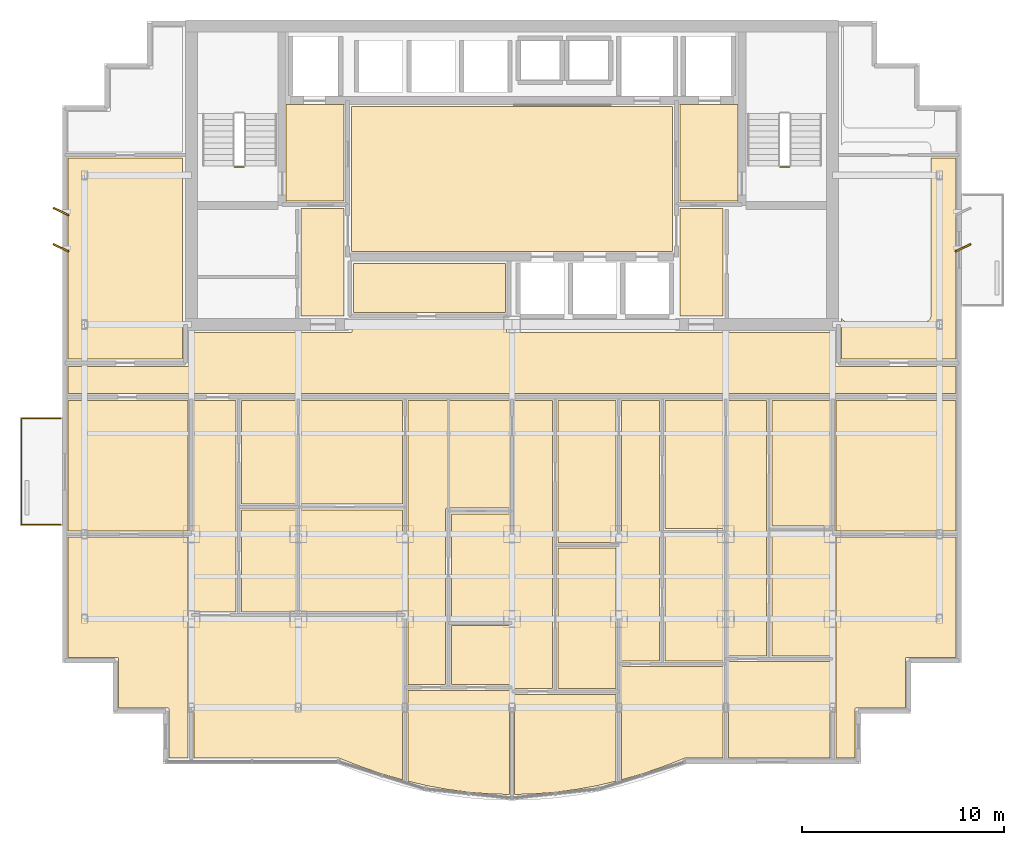
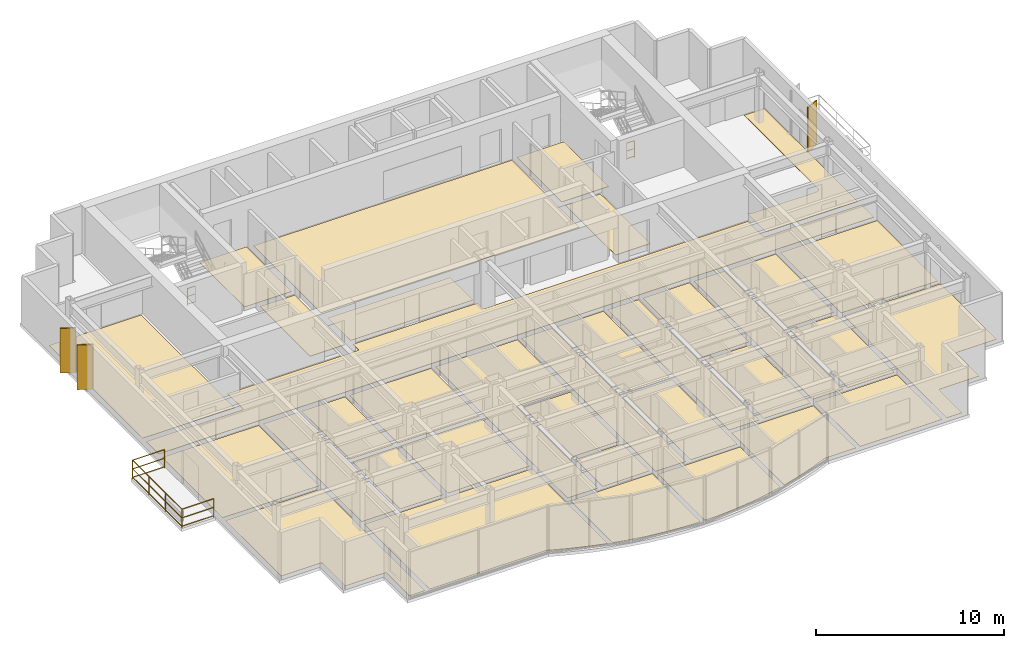
# One storey, part 10 of 11: 35 coverings, 3 railings, 3 shading devices.
"""IFC4 building model written with IfcOpenShell, lengths in metres."""

import ifcopenshell
import ifcopenshell.guid

model = None  # the IFC model being written
_history = None  # IfcOwnerHistory: only IFC2X3 demands one
_inside = {}  # id of a spatial element -> (the spatial element, [elements in it])
_under = {}  # id of a project, library or spatial element -> (it, [spatial elements below it])
_declared = {}  # id of a project -> (the project, [libraries it declares])
_typed = {}  # id of a type object -> (the type object, [elements of that type])
_made_of = {}  # id of a material, layer set ... -> (it, [elements and type objects made of it])


def new_model(schema):
    """Start an empty IFC model of exactly this schema.

    Asked for "IFC4X3", IfcOpenShell would pick the latest addendum, in which some entities
    have other attributes; the version numbers below select the first issue.
    IFC2X3 requires an IfcOwnerHistory on every rooted entity: one is made here for all.
    """
    global model, _history
    if schema == "IFC4X3":
        model = ifcopenshell.file(schema_version=(4, 3, 0, 0))
    else:
        model = ifcopenshell.file(schema=schema)
    _inside.clear()
    _under.clear()
    _declared.clear()
    _typed.clear()
    _made_of.clear()
    _history = None
    if model.schema == "IFC2X3":
        org = make("IfcOrganization", Name="unknown")
        user = make(
            "IfcPersonAndOrganization",
            ThePerson=make("IfcPerson", FamilyName="unknown"),
            TheOrganization=org,
        )
        app = make(
            "IfcApplication",
            ApplicationDeveloper=org,
            Version="unknown",
            ApplicationFullName="unknown",
            ApplicationIdentifier="unknown",
        )
        _history = make(
            "IfcOwnerHistory",
            OwningUser=user,
            OwningApplication=app,
            ChangeAction="ADDED",
            CreationDate=0,
        )
    return model


def make(cls, **values):
    """One entity of the class cls with the attributes given. An attribute that is None is left unset."""
    return model.create_entity(
        cls, **{name: value for name, value in values.items() if value is not None}
    )


def rooted(cls, **values):
    """An entity with a GlobalId (a new one), such as an element, a storey or a relation."""
    return make(cls, GlobalId=ifcopenshell.guid.new(), OwnerHistory=_history, **values)


def si_unit(unit_type, name, prefix=None):
    """IfcSIUnit, for example si_unit("LENGTHUNIT", "METRE", prefix="MILLI")."""
    return make("IfcSIUnit", UnitType=unit_type, Prefix=prefix, Name=name)


def assignment(units):
    """IfcUnitAssignment: the units of a project."""
    return None if units is None else make("IfcUnitAssignment", Units=units)


def point(xyz):
    """IfcCartesianPoint."""
    return None if xyz is None else make("IfcCartesianPoint", Coordinates=xyz)


def direction(xyz):
    """IfcDirection."""
    return None if xyz is None else make("IfcDirection", DirectionRatios=xyz)


def frame(location, z_axis=None, x_axis=None):
    """IfcAxis2Placement3D, a coordinate frame: its origin and axes. An axis left out is left unset."""
    return make(
        "IfcAxis2Placement3D",
        Location=point(location),
        Axis=direction(z_axis),
        RefDirection=direction(x_axis),
    )


def frame_2d(location, x_axis=None):
    """IfcAxis2Placement2D, a coordinate frame in the plane: its origin and x axis."""
    return make(
        "IfcAxis2Placement2D", Location=point(location), RefDirection=direction(x_axis)
    )


def origin():
    """The frame at (0, 0, 0) with its axes left unset."""
    return frame((0.0, 0.0, 0.0))


def origin_2d():
    """The frame at (0, 0) in the plane with its x axis left unset."""
    return frame_2d((0.0, 0.0))


def place(relative_to, where):
    """IfcLocalPlacement: puts the frame where relative to a parent placement (None: the world)."""
    return make(
        "IfcLocalPlacement", PlacementRelTo=relative_to, RelativePlacement=where
    )


def context(
    kind, dimensions, precision=None, world=None, true_north=None, identifier=None
):
    """IfcGeometricRepresentationContext, for example the 3D "Model" context."""
    return make(
        "IfcGeometricRepresentationContext",
        ContextIdentifier=identifier,
        ContextType=kind,
        CoordinateSpaceDimension=dimensions,
        Precision=precision,
        WorldCoordinateSystem=world,
        TrueNorth=true_north,
    )


def subcontext(parent, identifier, kind, view, scale=None):
    """IfcGeometricRepresentationSubContext, for example "Body" below "Model"."""
    return make(
        "IfcGeometricRepresentationSubContext",
        ContextIdentifier=identifier,
        ContextType=kind,
        ParentContext=parent,
        TargetScale=scale,
        TargetView=view,
    )


def project(units=None, contexts=None):
    """IfcProject with its units and contexts."""
    return rooted(
        "IfcProject",
        Name="project",
        RepresentationContexts=contexts,
        UnitsInContext=assignment(units),
    )


def spatial(cls, under=None, at=None, **own):
    """A site, building, storey or space (cls), placed at a placement, below another one or the project."""
    s = rooted(cls, ObjectPlacement=at, **own)
    if under is not None:
        _under.setdefault(under.id(), (under, []))[1].append(s)
    return s


def polyline(points):
    """IfcPolyline through the points."""
    return make("IfcPolyline", Points=[point(p) for p in points])


def profile(cls, at=None, kind="AREA", **sizes):
    """A parametric profile (cls). Its sizes go by their IFC names, for example OverallWidth=200.0."""
    return make(cls, ProfileType=kind, Position=at, **sizes)


def rectangle(**sizes):
    """IfcRectangleProfileDef."""
    return profile("IfcRectangleProfileDef", **sizes)


def circle(**sizes):
    """IfcCircleProfileDef."""
    return profile("IfcCircleProfileDef", **sizes)


def outline(outer, holes=None, kind="AREA"):
    """IfcArbitraryClosedProfileDef: a profile drawn as a closed curve; with holes, ...WithVoids."""
    if holes is None:
        return make("IfcArbitraryClosedProfileDef", ProfileType=kind, OuterCurve=outer)
    return make(
        "IfcArbitraryProfileDefWithVoids",
        ProfileType=kind,
        OuterCurve=outer,
        InnerCurves=holes,
    )


def extrude(swept, where, along, depth):
    """IfcExtrudedAreaSolid: the profile swept, set in the frame where, extruded along a direction by depth."""
    return make(
        "IfcExtrudedAreaSolid",
        SweptArea=swept,
        Position=where,
        ExtrudedDirection=direction(along),
        Depth=depth,
    )


def shape(context_of_items, identifier, shape_type, items):
    """IfcShapeRepresentation: the items that make up one representation, for example the "Body"."""
    return make(
        "IfcShapeRepresentation",
        ContextOfItems=context_of_items,
        RepresentationIdentifier=identifier,
        RepresentationType=shape_type,
        Items=items,
    )


def source(mapping_origin, context_of_items, identifier, shape_type, items):
    """IfcRepresentationMap: a shape defined once, which mapped items show again and again."""
    return make(
        "IfcRepresentationMap",
        MappingOrigin=mapping_origin,
        MappedRepresentation=shape(context_of_items, identifier, shape_type, items),
    )


def transform(
    local_origin,
    x_axis=None,
    y_axis=None,
    z_axis=None,
    scale=None,
    scale2=None,
    scale3=None,
    uniform=True,
):
    """IfcCartesianTransformationOperator3D, or its non-uniform kind. x_axis, y_axis, z_axis: its Axis1, 2, 3."""
    if uniform:
        return make(
            "IfcCartesianTransformationOperator3D",
            Axis1=direction(x_axis),
            Axis2=direction(y_axis),
            LocalOrigin=point(local_origin),
            Scale=scale,
            Axis3=direction(z_axis),
        )
    return make(
        "IfcCartesianTransformationOperator3DnonUniform",
        Axis1=direction(x_axis),
        Axis2=direction(y_axis),
        LocalOrigin=point(local_origin),
        Scale=scale,
        Axis3=direction(z_axis),
        Scale2=scale2,
        Scale3=scale3,
    )


def mapped(mapping_source, mapping_target):
    """IfcMappedItem: shows the shape of a source again, moved by a transform."""
    return make(
        "IfcMappedItem", MappingSource=mapping_source, MappingTarget=mapping_target
    )


def material(Name=None, Category=None):
    """IfcMaterial."""
    return make("IfcMaterial", Name=Name, Category=Category)


def layer(
    of_material, thickness, ventilated=None, Name=None, Category=None, Priority=None
):
    """IfcMaterialLayer: one layer of a wall or slab, of a material (None: an air gap)."""
    return make(
        "IfcMaterialLayer",
        Material=of_material,
        LayerThickness=thickness,
        IsVentilated=ventilated,
        Name=Name,
        Category=Category,
        Priority=Priority,
    )


def layer_set(layers, Name=None):
    """IfcMaterialLayerSet."""
    return make("IfcMaterialLayerSet", MaterialLayers=layers, LayerSetName=Name)


def made_of(thing, what):
    """Note that an element or type object is made of a material, layer set ...; save() writes the relation."""
    if what is not None:
        _made_of.setdefault(what.id(), (what, []))[1].append(thing)
    return thing


def type_object(cls, material=None, **own):
    """A type object (cls), such as IfcWallType, which elements share."""
    return made_of(rooted(cls, **own), material)


def element(
    cls,
    number,
    at=None,
    inside=None,
    cuts=None,
    type_object=None,
    material=None,
    context=None,
    identifier="Body",
    shape_type=None,
    held_by="IfcProductDefinitionShape",
    body=None,
    shapes=None,
    **own,
):
    """One element of the class cls, such as IfcWall. Its Tag is "e" and its number.

    at: its placement. inside: the storey or other place that contains it. cuts: it is an
    opening in that element (IfcRelVoidsElement). A single representation is given by context,
    identifier, shape_type and body (its items); several are given by shapes. held_by: the class
    of the entity that holds the representations. save() writes the other relations.
    """
    e = rooted(cls, Tag="e%d" % number, ObjectPlacement=at, **own)
    if body is not None:
        shapes = [shape(context, identifier, shape_type, body)]
    if shapes is not None:
        e.Representation = make(held_by, Representations=shapes)
    if inside is not None:
        _inside.setdefault(inside.id(), (inside, []))[1].append(e)
    if cuts is not None:
        rooted(
            "IfcRelVoidsElement", RelatingBuildingElement=cuts, RelatedOpeningElement=e
        )
    if type_object is not None:
        _typed.setdefault(type_object.id(), (type_object, []))[1].append(e)
    return made_of(e, material)


def aggregate(whole, parts):
    """IfcRelAggregates: a whole, such as a stair, and the parts it consists of."""
    return rooted("IfcRelAggregates", RelatingObject=whole, RelatedObjects=parts)


def save(model, path):
    """Write the relations noted so far, then the file.

    IfcRelAggregates (storeys below a building ...), IfcRelContainedInSpatialStructure (elements
    in a storey), IfcRelDefinesByType, IfcRelAssociatesMaterial and IfcRelDeclares: one each for
    every whole, place, type object, material and project.
    """
    for whole, parts in _under.values():
        aggregate(whole, parts)
    for where, things in _inside.values():
        rooted(
            "IfcRelContainedInSpatialStructure",
            RelatedElements=things,
            RelatingStructure=where,
        )
    for kind, things in _typed.values():
        rooted("IfcRelDefinesByType", RelatedObjects=things, RelatingType=kind)
    for what, things in _made_of.values():
        rooted("IfcRelAssociatesMaterial", RelatedObjects=things, RelatingMaterial=what)
    for by, libraries in _declared.values():
        rooted("IfcRelDeclares", RelatingContext=by, RelatedDefinitions=libraries)
    model.write(path)


model = new_model("IFC4")

# Units and contexts
model_context = context("Model", 3, precision=1e-05, world=origin(), true_north=direction((0.0, 1.0)))
body_context = subcontext(model_context, "Body", "Model", "MODEL_VIEW")
ifc_project = project(units=[si_unit("LENGTHUNIT", "METRE"), si_unit("AREAUNIT", "SQUARE_METRE"), si_unit("VOLUMEUNIT", "CUBIC_METRE"), si_unit("PLANEANGLEUNIT", "RADIAN"), si_unit("MASSUNIT", "GRAM", prefix="KILO")], contexts=[model_context])

# Site, building, storey
site_placement = place(None, origin())
site = spatial("IfcSite", under=ifc_project, at=site_placement, CompositionType="ELEMENT")
building_placement = place(site_placement, origin())
building = spatial("IfcBuilding", under=site, at=building_placement, Name="Qianlan Lanfeng Residences", CompositionType="ELEMENT")
storey_placement = place(building_placement, frame((0.0, 0.0, 175.5)))
storey = spatial("IfcBuildingStorey", under=building, at=storey_placement, Name="L48", CompositionType="ELEMENT", Elevation=175.5)

# Coverings
ifc_material_1 = material(Name="Honed Taitung Granite Stone Flooring", Category="masonry")
ifc_layer_1 = layer(ifc_material_1, 0.030029296875)
ifc_layer_set_1 = layer_set([ifc_layer_1], Name="Honed Taitung Granite Stone Flooring")
covering_type_1 = type_object("IfcCoveringType", Name="FLR-STN-30", PredefinedType="FLOORING", material=ifc_layer_set_1)
covering_1_placement = place(storey_placement, origin())
element("IfcCovering", 1, at=covering_1_placement, inside=storey, type_object=covering_type_1, Name="L48 Firefighting Lift Lobby Floor Finish", PredefinedType="FLOORING", context=body_context, shape_type="SweptSolid", body=[
    extrude(outline(polyline([(15.2900390625, 31.320068359375), (18.179931640625, 31.320068359375), (18.179931640625, 36.110107421875), (15.2900390625, 36.110107421875), (15.2900390625, 31.320068359375)])), origin(), (0.0, 0.0, 1.0), 0.030029296875),
])
covering_2_placement = place(storey_placement, origin())
element("IfcCovering", 2, at=covering_2_placement, inside=storey, type_object=covering_type_1, Name="L48 Firefighting Lift Lobby Floor Finish", PredefinedType="FLOORING", context=body_context, shape_type="SweptSolid", body=[
    extrude(outline(polyline([(34.820068359375, 31.320068359375), (37.7099609375, 31.320068359375), (37.7099609375, 36.110107421875), (34.820068359375, 36.110107421875), (34.820068359375, 31.320068359375)])), origin(), (0.0, 0.0, 1.0), 0.030029296875),
])
covering_3_placement = place(storey_placement, origin())
element("IfcCovering", 3, at=covering_3_placement, inside=storey, type_object=covering_type_1, Name="L48 Lift Lobby Floor Finish", PredefinedType="FLOORING", context=body_context, shape_type="SweptSolid", body=[
    extrude(outline(polyline([(18.550048828125, 28.820068359375), (34.449951171875, 28.820068359375), (34.449951171875, 36.010009765625), (18.550048828125, 36.010009765625), (18.550048828125, 28.820068359375)])), origin(), (0.0, 0.0, 1.0), 0.030029296875),
])
covering_4_placement = place(storey_placement, origin())
element("IfcCovering", 4, at=covering_4_placement, inside=storey, type_object=covering_type_1, Name="L48 Residential Corridor Floor Finish", PredefinedType="FLOORING", context=body_context, shape_type="SweptSolid", body=[
    extrude(outline(polyline([(4.489990234375, 21.780029296875), (48.510009765625, 21.780029296875), (48.510009765625, 23.1201171875), (42.590087890625, 23.1201171875), (42.5830078125, 23.1201171875), (42.575927734375, 23.12109375), (42.570068359375, 23.123046875), (42.56298828125, 23.125), (42.556884765625, 23.1279296875), (42.551025390625, 23.132080078125), (42.5458984375, 23.135986328125), (42.541015625, 23.14111328125), (42.535888671875, 23.14599609375), (42.531982421875, 23.15087890625), (42.528076171875, 23.156982421875), (42.52490234375, 23.1630859375), (42.52294921875, 23.169921875), (42.52099609375, 23.176025390625), (42.52001953125, 23.18310546875), (42.52001953125, 23.18994140625), (42.52001953125, 24.800048828125), (26.300048828125, 24.800048828125), (26.29296875, 24.800048828125), (26.285888671875, 24.801025390625), (26.280029296875, 24.802978515625), (26.27294921875, 24.804931640625), (26.26708984375, 24.80810546875), (26.260986328125, 24.81201171875), (26.256103515625, 24.81591796875), (26.2509765625, 24.821044921875), (26.24609375, 24.825927734375), (26.241943359375, 24.8310546875), (26.238037109375, 24.8369140625), (26.235107421875, 24.843017578125), (26.23291015625, 24.85009765625), (26.23095703125, 24.85595703125), (26.22998046875, 24.863037109375), (26.22998046875, 24.8701171875), (26.22998046875, 25.429931640625), (18.570068359375, 25.429931640625), (18.570068359375, 24.8701171875), (18.570068359375, 24.863037109375), (18.569091796875, 24.85595703125), (18.56689453125, 24.85009765625), (18.56494140625, 24.843017578125), (18.56201171875, 24.8369140625), (18.55810546875, 24.8310546875), (18.553955078125, 24.825927734375), (18.549072265625, 24.821044921875), (18.5439453125, 24.81591796875), (18.5390625, 24.81201171875), (18.532958984375, 24.80810546875), (18.527099609375, 24.804931640625), (18.52001953125, 24.802978515625), (18.513916015625, 24.801025390625), (18.507080078125, 24.800048828125), (18.5, 24.800048828125), (10.47998046875, 24.800048828125), (10.47998046875, 23.18994140625), (10.47998046875, 23.18310546875), (10.47900390625, 23.176025390625), (10.47705078125, 23.169921875), (10.47509765625, 23.1630859375), (10.471923828125, 23.156982421875), (10.468017578125, 23.15087890625), (10.464111328125, 23.14599609375), (10.458984375, 23.14111328125), (10.4541015625, 23.135986328125), (10.448974609375, 23.132080078125), (10.443115234375, 23.1279296875), (10.43701171875, 23.125), (10.429931640625, 23.123046875), (10.424072265625, 23.12109375), (10.4169921875, 23.1201171875), (10.409912109375, 23.1201171875), (4.489990234375, 23.1201171875), (4.489990234375, 21.780029296875)])), origin(), (0.0, 0.0, 1.0), 0.030029296875),
])
covering_5_placement = place(storey_placement, origin())
element("IfcCovering", 5, at=covering_5_placement, inside=storey, type_object=covering_type_1, Name="L48 Lift Lobby Floor Finish", PredefinedType="FLOORING", context=body_context, shape_type="SweptSolid", body=[
    extrude(outline(polyline([(16.030029296875, 25.610107421875), (18.169921875, 25.610107421875), (18.169921875, 30.949951171875), (16.030029296875, 30.949951171875), (16.030029296875, 25.610107421875)])), origin(), (0.0, 0.0, 1.0), 0.030029296875),
])
covering_6_placement = place(storey_placement, origin())
element("IfcCovering", 6, at=covering_6_placement, inside=storey, type_object=covering_type_1, Name="L48 Lift Lobby Floor Finish", PredefinedType="FLOORING", context=body_context, shape_type="SweptSolid", body=[
    extrude(outline(polyline([(34.830078125, 25.610107421875), (36.969970703125, 25.610107421875), (36.969970703125, 30.949951171875), (34.830078125, 30.949951171875), (34.830078125, 25.610107421875)])), origin(), (0.0, 0.0, 1.0), 0.030029296875),
])
ifc_material_2 = material(Name="Slip-Resistant Porcelain Tile Flooring")
ifc_layer_2 = layer(ifc_material_2, 0.02001953125)
ifc_layer_set_2 = layer_set([ifc_layer_2], Name="Slip-Resistant Porcelain Tile Flooring")
covering_type_2 = type_object("IfcCoveringType", Name="FLR-TIL-20", PredefinedType="FLOORING", material=ifc_layer_set_2)
covering_7_placement = place(storey_placement, origin())
element("IfcCovering", 7, at=covering_7_placement, inside=storey, type_object=covering_type_2, Name="L48 Kitchen Floor Finish", PredefinedType="FLOORING", context=body_context, shape_type="SweptSolid", body=[
    extrude(outline(polyline([(13.090087890625, 10.929931640625), (15.760009765625, 10.929931640625), (15.760009765625, 16.0048828125), (13.090087890625, 16.0048828125), (13.090087890625, 10.929931640625)])), origin(), (0.0, 0.0, 1.0), 0.02001953125),
])
covering_8_placement = place(storey_placement, origin())
element("IfcCovering", 8, at=covering_8_placement, inside=storey, type_object=covering_type_2, Name="L48 Bathroom Floor Finish", PredefinedType="FLOORING", context=body_context, shape_type="SweptSolid", body=[
    extrude(outline(polyline([(13.090087890625, 16.284912109375), (15.760009765625, 16.284912109375), (15.760009765625, 21.429931640625), (13.090087890625, 21.429931640625), (13.090087890625, 16.284912109375)])), origin(), (0.0, 0.0, 1.0), 0.02001953125),
])
covering_9_placement = place(storey_placement, origin())
element("IfcCovering", 9, at=covering_9_placement, inside=storey, type_object=covering_type_2, Name="L48 En-Suite Bathroom Floor Finish", PredefinedType="FLOORING", context=body_context, shape_type="SweptSolid", body=[
    extrude(outline(polyline([(23.489990234375, 7.339111328125), (26.3701171875, 7.339111328125), (26.3701171875, 10.259033203125), (23.489990234375, 10.259033203125), (23.489990234375, 7.339111328125)])), origin(), (0.0, 0.0, 1.0), 0.02001953125),
])
ifc_material_3 = material(Name="Engineered Smoked Oak Timber Flooring", Category="wood")
ifc_layer_3 = layer(ifc_material_3, 0.02197265625)
ifc_layer_set_3 = layer_set([ifc_layer_3], Name="Engineered Smoked Oak Timber Flooring")
covering_type_3 = type_object("IfcCoveringType", Name="FLR-TIM-22", PredefinedType="FLOORING", material=ifc_layer_set_3)
covering_10_placement = place(storey_placement, origin())
element("IfcCovering", 10, at=covering_10_placement, inside=storey, type_object=covering_type_3, Name="L48 Gallery Salon Floor Finish", PredefinedType="FLOORING", context=body_context, shape_type="SweptSolid", body=[
    extrude(outline(polyline([(18.6298828125, 25.800048828125), (26.169921875, 25.800048828125), (26.169921875, 28.22998046875), (18.6298828125, 28.22998046875), (18.6298828125, 25.800048828125)])), origin(), (0.0, 0.0, 1.0), 0.02197265625),
])
covering_11_placement = place(storey_placement, origin())
element("IfcCovering", 11, at=covering_11_placement, inside=storey, type_object=covering_type_3, Name="L48 Living and Dining Room Floor Finish", PredefinedType="FLOORING", context=body_context, shape_type="SweptSolid", body=[
    extrude(outline(polyline([(10.72998046875, 10.64990234375), (10.72998046875, 3.68994140625), (17.922119140625, 3.68994140625), (17.927978515625, 3.68994140625), (17.93505859375, 3.68896484375), (17.94091796875, 3.68701171875), (17.947021484375, 3.68505859375), (19.056884765625, 3.25), (20.1220703125, 2.888916015625), (21.070068359375, 2.616943359375), (21.070068359375, 10.64990234375), (10.72998046875, 10.64990234375)])), origin(), (0.0, 0.0, 1.0), 0.02197265625),
])
covering_12_placement = place(storey_placement, origin())
element("IfcCovering", 12, at=covering_12_placement, inside=storey, type_object=covering_type_3, Name="L48 Family Sitting Room Floor Finish", PredefinedType="FLOORING", context=body_context, shape_type="SweptSolid", body=[
    extrude(outline(polyline([(10.72998046875, 10.929931640625), (12.81005859375, 10.929931640625), (12.81005859375, 21.429931640625), (10.72998046875, 21.429931640625), (10.72998046875, 10.929931640625)])), origin(), (0.0, 0.0, 1.0), 0.02197265625),
])
covering_13_placement = place(storey_placement, origin())
element("IfcCovering", 13, at=covering_13_placement, inside=storey, type_object=covering_type_3, Name="L48 Community Library Floor Finish", PredefinedType="FLOORING", context=body_context, shape_type="SweptSolid", body=[
    extrude(outline(polyline([(16.0400390625, 10.929931640625), (21.06005859375, 10.929931640625), (21.06005859375, 16.0048828125), (16.0400390625, 16.0048828125), (16.0400390625, 10.929931640625)])), origin(), (0.0, 0.0, 1.0), 0.02197265625),
])
covering_14_placement = place(storey_placement, origin())
element("IfcCovering", 14, at=covering_14_placement, inside=storey, type_object=covering_type_3, Name="L48 Home Office Floor Finish", PredefinedType="FLOORING", context=body_context, shape_type="SweptSolid", body=[
    extrude(outline(polyline([(16.0400390625, 16.284912109375), (21.06005859375, 16.284912109375), (21.06005859375, 21.429931640625), (16.0400390625, 21.429931640625), (16.0400390625, 16.284912109375)])), origin(), (0.0, 0.0, 1.0), 0.02197265625),
])
covering_15_placement = place(storey_placement, origin())
element("IfcCovering", 15, at=covering_15_placement, inside=storey, type_object=covering_type_3, Name="L48 Private Study Floor Finish", PredefinedType="FLOORING", context=body_context, shape_type="SweptSolid", body=[
    extrude(outline(polyline([(23.489990234375, 10.5390625), (26.3701171875, 10.5390625), (26.3701171875, 15.81005859375), (23.489990234375, 15.81005859375), (23.489990234375, 10.5390625)])), origin(), (0.0, 0.0, 1.0), 0.02197265625),
])
covering_16_placement = place(storey_placement, origin())
element("IfcCovering", 16, at=covering_16_placement, inside=storey, type_object=covering_type_3, Name="L48 Villa Family Sitting Room Floor Finish", PredefinedType="FLOORING", context=body_context, shape_type="SweptSolid", body=[
    extrude(outline(polyline([(21.330078125, 7.339111328125), (23.2099609375, 7.339111328125), (23.2099609375, 16.02001953125), (23.2099609375, 16.027099609375), (23.2109375, 16.033935546875), (23.212890625, 16.0400390625), (23.215087890625, 16.047119140625), (23.218017578125, 16.052978515625), (23.221923828125, 16.05908203125), (23.22607421875, 16.06396484375), (23.23095703125, 16.069091796875), (23.236083984375, 16.073974609375), (23.240966796875, 16.077880859375), (23.2470703125, 16.08203125), (23.2529296875, 16.0849609375), (23.260009765625, 16.0869140625), (23.26611328125, 16.089111328125), (23.27294921875, 16.090087890625), (23.280029296875, 16.090087890625), (26.3701171875, 16.090087890625), (26.3701171875, 21.429931640625), (21.330078125, 21.429931640625), (21.330078125, 7.339111328125)])), origin(), (0.0, 0.0, 1.0), 0.02197265625),
])
covering_17_placement = place(storey_placement, origin())
element("IfcCovering", 17, at=covering_17_placement, inside=storey, type_object=covering_type_3, Name="L48 Master Bedroom Floor Finish", PredefinedType="FLOORING", context=body_context, shape_type="SweptSolid", body=[
    extrude(outline(polyline([(21.330078125, 7.05908203125), (21.330078125, 2.550048828125), (22.2490234375, 2.333984375), (23.31201171875, 2.139892578125), (24.375, 2.001953125), (25.43701171875, 1.91796875), (26.3701171875, 1.89306640625), (26.3701171875, 7.05908203125), (21.330078125, 7.05908203125)])), origin(), (0.0, 0.0, 1.0), 0.02197265625),
])
covering_18_placement = place(storey_placement, origin())
element("IfcCovering", 18, at=covering_18_placement, inside=storey, type_object=covering_type_3, Name="L48 Guest Bedroom Floor Finish", PredefinedType="FLOORING", context=body_context, shape_type="SweptSolid", body=[
    extrude(outline(polyline([(26.6298828125, 6.85888671875), (26.6298828125, 1.89306640625), (27.56298828125, 1.91796875), (28.625, 2.0009765625), (29.68701171875, 2.139892578125), (30.7509765625, 2.333984375), (31.669921875, 2.550048828125), (31.669921875, 6.85888671875), (26.6298828125, 6.85888671875)])), origin(), (0.0, 0.0, 1.0), 0.02197265625),
])
covering_19_placement = place(storey_placement, origin())
element("IfcCovering", 19, at=covering_19_placement, inside=storey, type_object=covering_type_3, Name="L48 Private Study Floor Finish", PredefinedType="FLOORING", context=body_context, shape_type="SweptSolid", body=[
    extrude(outline(polyline([(28.7900390625, 7.138916015625), (31.669921875, 7.138916015625), (31.669921875, 14.10888671875), (28.7900390625, 14.10888671875), (28.7900390625, 7.138916015625)])), origin(), (0.0, 0.0, 1.0), 0.02197265625),
])
covering_20_placement = place(storey_placement, origin())
element("IfcCovering", 20, at=covering_20_placement, inside=storey, type_object=covering_type_3, Name="L48 Community Library Floor Finish", PredefinedType="FLOORING", context=body_context, shape_type="SweptSolid", body=[
    extrude(outline(polyline([(28.7900390625, 14.388916015625), (31.669921875, 14.388916015625), (31.669921875, 21.429931640625), (28.7900390625, 21.429931640625), (28.7900390625, 14.388916015625)])), origin(), (0.0, 0.0, 1.0), 0.02197265625),
])
covering_21_placement = place(storey_placement, origin())
element("IfcCovering", 21, at=covering_21_placement, inside=storey, type_object=covering_type_3, Name="L48 Home Office Floor Finish", PredefinedType="FLOORING", context=body_context, shape_type="SweptSolid", body=[
    extrude(outline(polyline([(26.6298828125, 7.138916015625), (28.510009765625, 7.138916015625), (28.510009765625, 21.429931640625), (26.6298828125, 21.429931640625), (26.6298828125, 7.138916015625)])), origin(), (0.0, 0.0, 1.0), 0.02197265625),
])
covering_22_placement = place(storey_placement, origin())
element("IfcCovering", 22, at=covering_22_placement, inside=storey, type_object=covering_type_3, Name="L48 Guest Bedroom Floor Finish", PredefinedType="FLOORING", context=body_context, shape_type="SweptSolid", body=[
    extrude(outline(polyline([(31.929931640625, 8.23388671875), (31.929931640625, 2.616943359375), (32.8779296875, 2.888916015625), (33.94189453125, 3.25), (35.052978515625, 3.68505859375), (35.05908203125, 3.68701171875), (35.06494140625, 3.68896484375), (35.072021484375, 3.68994140625), (35.077880859375, 3.68994140625), (36.969970703125, 3.68994140625), (36.969970703125, 8.23388671875), (31.929931640625, 8.23388671875)])), origin(), (0.0, 0.0, 1.0), 0.02197265625),
])
covering_23_placement = place(storey_placement, origin())
element("IfcCovering", 23, at=covering_23_placement, inside=storey, type_object=covering_type_3, Name="L48 Private Study Floor Finish", PredefinedType="FLOORING", context=body_context, shape_type="SweptSolid", body=[
    extrude(outline(polyline([(34.090087890625, 8.513916015625), (36.969970703125, 8.513916015625), (36.969970703125, 14.797119140625), (34.090087890625, 14.797119140625), (34.090087890625, 8.513916015625)])), origin(), (0.0, 0.0, 1.0), 0.02197265625),
])
covering_24_placement = place(storey_placement, origin())
element("IfcCovering", 24, at=covering_24_placement, inside=storey, type_object=covering_type_3, Name="L48 Community Library Floor Finish", PredefinedType="FLOORING", context=body_context, shape_type="SweptSolid", body=[
    extrude(outline(polyline([(34.090087890625, 15.076904296875), (36.969970703125, 15.076904296875), (36.969970703125, 21.429931640625), (34.090087890625, 21.429931640625), (34.090087890625, 15.076904296875)])), origin(), (0.0, 0.0, 1.0), 0.02197265625),
])
covering_25_placement = place(storey_placement, origin())
element("IfcCovering", 25, at=covering_25_placement, inside=storey, type_object=covering_type_3, Name="L48 Home Office Floor Finish", PredefinedType="FLOORING", context=body_context, shape_type="SweptSolid", body=[
    extrude(outline(polyline([(31.929931640625, 8.513916015625), (33.81005859375, 8.513916015625), (33.81005859375, 21.429931640625), (31.929931640625, 21.429931640625), (31.929931640625, 8.513916015625)])), origin(), (0.0, 0.0, 1.0), 0.02197265625),
])
covering_26_placement = place(storey_placement, origin())
element("IfcCovering", 26, at=covering_26_placement, inside=storey, type_object=covering_type_3, Name="L48 Guest Bedroom Floor Finish", PredefinedType="FLOORING", context=body_context, shape_type="SweptSolid", body=[
    extrude(outline(polyline([(37.22998046875, 8.47998046875), (37.22998046875, 3.68994140625), (42.27001953125, 3.68994140625), (42.27001953125, 8.47998046875), (37.22998046875, 8.47998046875)])), origin(), (0.0, 0.0, 1.0), 0.02197265625),
])
covering_27_placement = place(storey_placement, origin())
element("IfcCovering", 27, at=covering_27_placement, inside=storey, type_object=covering_type_3, Name="L48 Private Study Floor Finish", PredefinedType="FLOORING", context=body_context, shape_type="SweptSolid", body=[
    extrude(outline(polyline([(39.389892578125, 8.760009765625), (42.27001953125, 8.760009765625), (42.27001953125, 14.919921875), (39.389892578125, 14.919921875), (39.389892578125, 8.760009765625)])), origin(), (0.0, 0.0, 1.0), 0.02197265625),
])
covering_28_placement = place(storey_placement, origin())
element("IfcCovering", 28, at=covering_28_placement, inside=storey, type_object=covering_type_3, Name="L48 Community Library Floor Finish", PredefinedType="FLOORING", context=body_context, shape_type="SweptSolid", body=[
    extrude(outline(polyline([(39.389892578125, 15.199951171875), (42.27001953125, 15.199951171875), (42.27001953125, 21.429931640625), (39.389892578125, 21.429931640625), (39.389892578125, 15.199951171875)])), origin(), (0.0, 0.0, 1.0), 0.02197265625),
])
covering_29_placement = place(storey_placement, origin())
element("IfcCovering", 29, at=covering_29_placement, inside=storey, type_object=covering_type_3, Name="L48 Home Office Floor Finish", PredefinedType="FLOORING", context=body_context, shape_type="SweptSolid", body=[
    extrude(outline(polyline([(37.22998046875, 8.760009765625), (39.110107421875, 8.760009765625), (39.110107421875, 21.429931640625), (37.22998046875, 21.429931640625), (37.22998046875, 8.760009765625)])), origin(), (0.0, 0.0, 1.0), 0.02197265625),
])
covering_30_placement = place(storey_placement, origin())
element("IfcCovering", 30, at=covering_30_placement, inside=storey, type_object=covering_type_3, Name="L48 Sunroom Floor Finish", PredefinedType="FLOORING", context=body_context, shape_type="SweptSolid", body=[
    extrude(outline(polyline([(10.43994140625, 14.64990234375), (4.489990234375, 14.64990234375), (4.489990234375, 8.68994140625), (6.919921875, 8.68994140625), (6.927001953125, 8.68994140625), (6.93408203125, 8.68896484375), (6.93994140625, 8.68701171875), (6.947021484375, 8.68505859375), (6.952880859375, 8.681884765625), (6.958984375, 8.677978515625), (6.964111328125, 8.674072265625), (6.968994140625, 8.6689453125), (6.97412109375, 8.6640625), (6.97802734375, 8.658935546875), (6.98193359375, 8.653076171875), (6.985107421875, 8.64697265625), (6.987060546875, 8.639892578125), (6.989013671875, 8.634033203125), (6.989990234375, 8.626953125), (6.989990234375, 8.6201171875), (6.989990234375, 6.18994140625), (9.419921875, 6.18994140625), (9.427001953125, 6.18994140625), (9.43408203125, 6.18896484375), (9.43994140625, 6.18701171875), (9.447021484375, 6.18505859375), (9.452880859375, 6.181884765625), (9.458984375, 6.177978515625), (9.464111328125, 6.174072265625), (9.468994140625, 6.1689453125), (9.47412109375, 6.1640625), (9.47802734375, 6.158935546875), (9.48193359375, 6.153076171875), (9.485107421875, 6.14697265625), (9.487060546875, 6.139892578125), (9.489013671875, 6.134033203125), (9.489990234375, 6.126953125), (9.489990234375, 6.1201171875), (9.489990234375, 3.68994140625), (10.43994140625, 3.68994140625), (10.43994140625, 14.64990234375)])), origin(), (0.0, 0.0, 1.0), 0.02197265625),
])
covering_31_placement = place(storey_placement, origin())
element("IfcCovering", 31, at=covering_31_placement, inside=storey, type_object=covering_type_3, Name="L48 Family Sitting Room Floor Finish", PredefinedType="FLOORING", context=body_context, shape_type="SweptSolid", body=[
    extrude(outline(polyline([(10.43994140625, 21.429931640625), (4.489990234375, 21.429931640625), (4.489990234375, 14.949951171875), (10.43994140625, 14.949951171875), (10.43994140625, 21.429931640625)])), origin(), (0.0, 0.0, 1.0), 0.02197265625),
])
covering_32_placement = place(storey_placement, origin())
element("IfcCovering", 32, at=covering_32_placement, inside=storey, type_object=covering_type_3, Name="L48 Sunroom Floor Finish", PredefinedType="FLOORING", context=body_context, shape_type="SweptSolid", body=[
    extrude(outline(polyline([(48.510009765625, 14.64990234375), (42.56005859375, 14.64990234375), (42.56005859375, 3.68994140625), (43.510009765625, 3.68994140625), (43.510009765625, 6.1201171875), (43.510009765625, 6.126953125), (43.510986328125, 6.134033203125), (43.512939453125, 6.139892578125), (43.514892578125, 6.14697265625), (43.51806640625, 6.153076171875), (43.52197265625, 6.158935546875), (43.52587890625, 6.1640625), (43.531005859375, 6.1689453125), (43.535888671875, 6.174072265625), (43.541015625, 6.177978515625), (43.547119140625, 6.181884765625), (43.552978515625, 6.18505859375), (43.56005859375, 6.18701171875), (43.56591796875, 6.18896484375), (43.572998046875, 6.18994140625), (43.580078125, 6.18994140625), (46.010009765625, 6.18994140625), (46.010009765625, 8.6201171875), (46.010009765625, 8.626953125), (46.010986328125, 8.634033203125), (46.012939453125, 8.639892578125), (46.014892578125, 8.64697265625), (46.01806640625, 8.653076171875), (46.02197265625, 8.658935546875), (46.02587890625, 8.6640625), (46.031005859375, 8.6689453125), (46.035888671875, 8.674072265625), (46.041015625, 8.677978515625), (46.047119140625, 8.681884765625), (46.052978515625, 8.68505859375), (46.06005859375, 8.68701171875), (46.06591796875, 8.68896484375), (46.072998046875, 8.68994140625), (46.080078125, 8.68994140625), (48.510009765625, 8.68994140625), (48.510009765625, 14.64990234375)])), origin(), (0.0, 0.0, 1.0), 0.02197265625),
])
covering_33_placement = place(storey_placement, origin())
element("IfcCovering", 33, at=covering_33_placement, inside=storey, type_object=covering_type_3, Name="L48 Private Study Floor Finish", PredefinedType="FLOORING", context=body_context, shape_type="SweptSolid", body=[
    extrude(outline(polyline([(48.510009765625, 21.429931640625), (42.56005859375, 21.429931640625), (42.56005859375, 14.949951171875), (48.510009765625, 14.949951171875), (48.510009765625, 21.429931640625)])), origin(), (0.0, 0.0, 1.0), 0.02197265625),
])
covering_34_placement = place(storey_placement, origin())
element("IfcCovering", 34, at=covering_34_placement, inside=storey, type_object=covering_type_3, Name="L48 Fitness Gymnasium Floor Finish", PredefinedType="FLOORING", context=body_context, shape_type="SweptSolid", body=[
    extrude(outline(polyline([(10.14990234375, 33.449951171875), (4.489990234375, 33.449951171875), (4.489990234375, 23.47998046875), (10.14990234375, 23.47998046875), (10.14990234375, 33.449951171875)])), origin(), (0.0, 0.0, 1.0), 0.02197265625),
])
covering_35_placement = place(storey_placement, origin())
element("IfcCovering", 35, at=covering_35_placement, inside=storey, type_object=covering_type_3, Name="L48 Fitness Gymnasium Floor Finish", PredefinedType="FLOORING", context=body_context, shape_type="SweptSolid", body=[
    extrude(outline(polyline([(48.510009765625, 33.449951171875), (47.27001953125, 33.449951171875), (47.27001953125, 25.60009765625), (47.26904296875, 25.574951171875), (47.264892578125, 25.551025390625), (47.259033203125, 25.527099609375), (47.2509765625, 25.50390625), (47.239990234375, 25.48193359375), (47.22802734375, 25.4609375), (47.212890625, 25.44091796875), (47.197021484375, 25.423095703125), (47.178955078125, 25.406982421875), (47.158935546875, 25.39208984375), (47.137939453125, 25.3798828125), (47.115966796875, 25.368896484375), (47.093017578125, 25.361083984375), (47.069091796875, 25.35498046875), (47.044921875, 25.35107421875), (47.02001953125, 25.35009765625), (43.080078125, 25.35009765625), (43.054931640625, 25.35107421875), (43.031005859375, 25.35498046875), (43.007080078125, 25.361083984375), (42.98388671875, 25.368896484375), (42.9619140625, 25.3798828125), (42.94091796875, 25.39208984375), (42.9208984375, 25.406982421875), (42.903076171875, 25.423095703125), (42.886962890625, 25.44091796875), (42.8720703125, 25.4609375), (42.860107421875, 25.48193359375), (42.85009765625, 25.501953125), (42.85009765625, 23.47998046875), (48.510009765625, 23.47998046875), (48.510009765625, 33.449951171875)])), origin(), (0.0, 0.0, 1.0), 0.02197265625),
])

# Railings
ifc_material_4 = material(Name="Anodised Bronze Aluminium and Laminated Glass Guard Balustrade", Category="aluminium")
railing_type_1 = type_object("IfcRailingType", Name="GR-EXT-1220", PredefinedType="BALUSTRADE", material=ifc_material_4)
railing_placement = place(storey_placement, frame((4.1298828125, 15.27001953125, 0.0)))
element("IfcRailing", 36, at=railing_placement, inside=storey, type_object=railing_type_1, Name="L48 Terrace Safety Guard GR-L48-WB-S", PredefinedType="BALUSTRADE", context=body_context, shape_type="SweptSolid", body=[
    extrude(circle(Radius=0.02490234375, at=origin_2d()), frame((0.0, 0.0, 0.0849609375), z_axis=(-1.0, 0.0, 0.0), x_axis=(0.0, -1.0, 0.0)), (0.0, 0.0, 1.0), 1.9599609375),
    extrude(circle(Radius=0.02490234375, at=origin_2d()), frame((0.0, 0.0, 0.63427734375), z_axis=(-1.0, 0.0, 0.0), x_axis=(0.0, -1.0, 0.0)), (0.0, 0.0, 1.0), 1.9599609375),
    extrude(circle(Radius=0.02490234375, at=origin_2d()), frame((0.0, 0.0, 1.19482421875), z_axis=(-1.0, 0.0, 0.0), x_axis=(0.0, -1.0, 0.0)), (0.0, 0.0, 1.0), 1.9599609375),
    extrude(circle(Radius=0.02490234375, at=origin_2d()), frame((-1.9599609375, 0.0, 0.0849609375), z_axis=(0.0, 1.0, 0.0), x_axis=(-1.0, 0.0, 0.0)), (0.0, 0.0, 1.0), 5.260009765625),
    extrude(circle(Radius=0.02490234375, at=origin_2d()), frame((-1.9599609375, 0.0, 0.63427734375), z_axis=(0.0, 1.0, 0.0), x_axis=(-1.0, 0.0, 0.0)), (0.0, 0.0, 1.0), 5.260009765625),
    extrude(circle(Radius=0.02490234375, at=origin_2d()), frame((-1.9599609375, 0.0, 1.19482421875), z_axis=(0.0, 1.0, 0.0), x_axis=(-1.0, 0.0, 0.0)), (0.0, 0.0, 1.0), 5.260009765625),
    extrude(circle(Radius=0.02490234375, at=origin_2d()), frame((-1.9599609375, 5.260009765625, 0.0849609375), z_axis=(1.0, 0.0, 0.0), x_axis=(0.0, 1.0, 0.0)), (0.0, 0.0, 1.0), 1.9599609375),
    extrude(circle(Radius=0.02490234375, at=origin_2d()), frame((-1.9599609375, 5.260009765625, 0.63427734375), z_axis=(1.0, 0.0, 0.0), x_axis=(0.0, 1.0, 0.0)), (0.0, 0.0, 1.0), 1.9599609375),
    extrude(circle(Radius=0.02490234375, at=origin_2d()), frame((-1.9599609375, 5.260009765625, 1.19482421875), z_axis=(1.0, 0.0, 0.0), x_axis=(0.0, 1.0, 0.0)), (0.0, 0.0, 1.0), 1.9599609375),
    extrude(circle(Radius=0.02099609375, at=origin_2d()), origin(), (0.0, 0.0, 1.0), 1.169921875),
    extrude(circle(Radius=0.02099609375, at=origin_2d()), frame((-1.9599609375, 0.0, 0.0)), (0.0, 0.0, 1.0), 1.169921875),
    extrude(circle(Radius=0.02099609375, at=origin_2d()), frame((-1.9599609375, 1.75341796875, 0.0)), (0.0, 0.0, 1.0), 1.169921875),
    extrude(circle(Radius=0.02099609375, at=origin_2d()), frame((-1.9599609375, 3.506591796875, 0.0)), (0.0, 0.0, 1.0), 1.169921875),
    extrude(circle(Radius=0.02099609375, at=origin_2d()), frame((-1.9599609375, 5.260009765625, 0.0)), (0.0, 0.0, 1.0), 1.169921875),
    extrude(circle(Radius=0.02099609375, at=origin_2d()), frame((0.0, 5.260009765625, 0.0)), (0.0, 0.0, 1.0), 1.169921875),
])
ifc_material_5 = material(Name="Painted Galvanised Steel Guardrail", Category="steel")
railing_type_2 = type_object("IfcRailingType", Name="GR-ST-1120", PredefinedType="GUARDRAIL", material=ifc_material_5)
for number, where, name in (
    (37, (13.219970703125, 33.0, 0.0), "L48 ST-1 stair guard 4"),
    (38, (40.260009765625, 33.0, 0.0), "L48 ST-2 stair guard 4"),
):
    element("IfcRailing", number, at=place(storey_placement, frame(where)), inside=storey, type_object=railing_type_2, Name=name, PredefinedType="GUARDRAIL", context=body_context, shape_type="SweptSolid", body=[
        extrude(circle(Radius=0.02392578125, at=origin_2d()), frame((0.0, 0.0, 0.083984375), z_axis=(-1.0, 0.0, 0.0), x_axis=(0.0, -1.0, 0.0)), (0.0, 0.0, 1.0), 0.47998046875),
        extrude(circle(Radius=0.02392578125, at=origin_2d()), frame((0.0, 0.0, 0.58251953125), z_axis=(-1.0, 0.0, 0.0), x_axis=(0.0, -1.0, 0.0)), (0.0, 0.0, 1.0), 0.47998046875),
        extrude(circle(Radius=0.02392578125, at=origin_2d()), frame((0.0, 0.0, 1.09619140625), z_axis=(-1.0, 0.0, 0.0), x_axis=(0.0, -1.0, 0.0)), (0.0, 0.0, 1.0), 0.47998046875),
        extrude(circle(Radius=0.02099609375, at=origin_2d()), origin(), (0.0, 0.0, 1.0), 1.072021484375),
        extrude(circle(Radius=0.02099609375, at=origin_2d()), frame((-0.47998046875, 0.0, 0.0)), (0.0, 0.0, 1.0), 1.072021484375),
    ])

# Shading devices
ifc_material_6 = material(Name="Anodised Bronze Aluminium Solar Fin", Category="aluminium")
shading_device_type = type_object("IfcShadingDeviceType", Name="FIN-BRZ-850", PredefinedType="SHUTTER", material=ifc_material_6)
shared_shape = source(origin(), body_context, "Body", "SweptSolid", [
    extrude(rectangle(XDim=0.85009765625, YDim=0.080078125, at=origin_2d()), origin(), (0.0, 0.0, 1.0), 2.89990234375),
])
for number, where, z_axis, x_axis, name in (
    (39, (4.1298828125, 29.0, 0.0), (0.0, 0.0, 1.0), (0.898794046299, -0.438371146789, 0.0), "L48 Raked Bronze Solar Fin W1"),
    (40, (4.1298828125, 30.800048828125, 0.0), (0.0, 0.0, 1.0), (0.898794046299, -0.438371146789, 0.0), "L48 Raked Bronze Solar Fin W2"),
    (41, (48.8701171875, 29.0, 0.0), (0.0, 0.0, 1.0), (0.898794046299, 0.438371146789, 0.0), "L48 Raked Bronze Solar Fin E1"),
):
    element("IfcShadingDevice", number, at=place(storey_placement, frame(where, z_axis=z_axis, x_axis=x_axis)), inside=storey, type_object=shading_device_type, Name=name, PredefinedType="SHUTTER", context=body_context, shape_type="MappedRepresentation", body=[
        mapped(shared_shape, transform((0.0, 0.0, 0.0), scale=1.0)),
    ])

save(model, "model.ifc")
